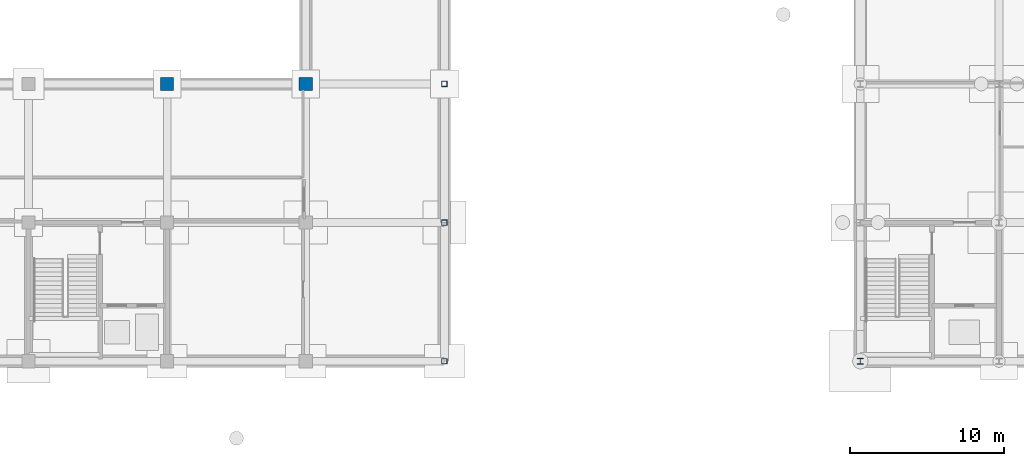
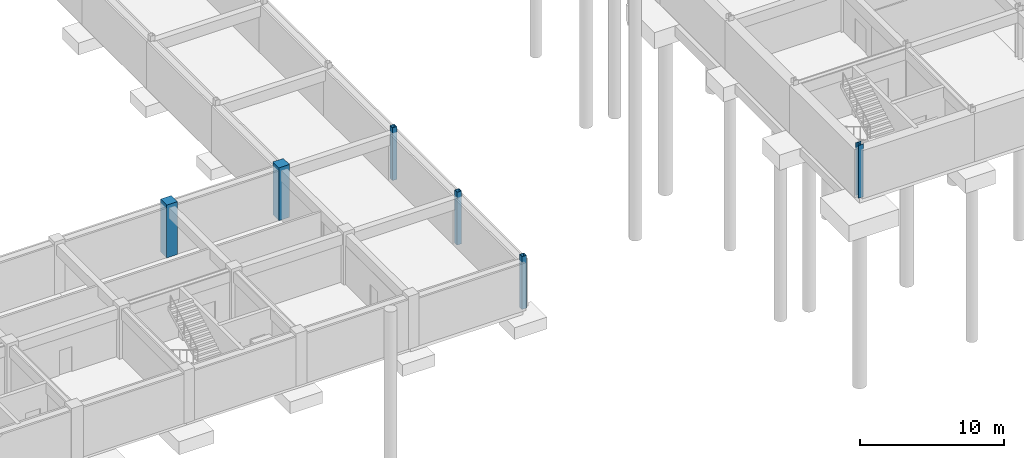
# One storey, part 5 of 41: 6 columns.
"""IFC4 building model written with IfcOpenShell, lengths in metres."""

from ifc_helpers import new_model, si_unit, direction, frame, origin, origin_2d, place, context, subcontext, project, spatial, rectangle, hollow_rectangle, i_section, extrude, material, material_profile, profile_set, type_object, element, save


model = new_model("IFC4")

# Units and contexts
model_context = context("Model", 3, precision=1e-05, world=origin(), true_north=direction((0.0, 1.0)))
body_context = subcontext(model_context, "Body", "Model", "MODEL_VIEW")
ifc_project = project(units=[si_unit("LENGTHUNIT", "METRE"), si_unit("AREAUNIT", "SQUARE_METRE"), si_unit("VOLUMEUNIT", "CUBIC_METRE"), si_unit("PLANEANGLEUNIT", "RADIAN"), si_unit("MASSUNIT", "GRAM", prefix="KILO")], contexts=[model_context])

# Site, building, storey
site_placement = place(None, origin())
site = spatial("IfcSite", under=ifc_project, at=site_placement, CompositionType="ELEMENT")
building_placement = place(site_placement, origin())
building = spatial("IfcBuilding", under=site, at=building_placement, Name="Palais des Congres Ocreval", CompositionType="ELEMENT")
storey_placement = place(building_placement, frame((0.0, 0.0, -8.9599609375)))
storey = spatial("IfcBuildingStorey", under=building, at=storey_placement, Name="B2", CompositionType="ELEMENT", Elevation=-8.9599609375)

# Columns
ifc_material_1 = material(Name="Steel S355", Category="steel")
ifc_material_profile_1 = material_profile(ifc_material_1, i_section(OverallWidth=0.40087890625, OverallDepth=0.39892578125, WebThickness=0.0185546875, FlangeThickness=0.030029296875, at=origin_2d()), Name="HD 400x314")
ifc_profile_set_1 = profile_set([ifc_material_profile_1], Name="Steel S355")
column_type_1 = type_object("IfcColumnType", Name="Column HD 400x314 Steel S355", PredefinedType="COLUMN", material=ifc_profile_set_1)
column_placement = place(storey_placement, frame((108.0, 0.0, 0.0), z_axis=(0.0, 0.0, 1.0), x_axis=(1.0, 0.0, 0.0)))
element("IfcColumn", 1, at=column_placement, inside=storey, type_object=column_type_1, Name="Column C04 B2", PredefinedType="COLUMN", context=body_context, shape_type="SweptSolid", body=[
    extrude(i_section(OverallWidth=0.40087890625, OverallDepth=0.39892578125, WebThickness=0.0185546875, FlangeThickness=0.030029296875, at=origin_2d()), origin(), (0.0, 0.0, 1.0), 4.47998046875),
])
ifc_material_2 = material(Name="Concrete C40/50", Category="concrete")
ifc_material_profile_2 = material_profile(ifc_material_2, rectangle(XDim=0.85009765625, YDim=0.85009765625, at=origin_2d()), Name="RC 850x850")
ifc_profile_set_2 = profile_set([ifc_material_profile_2], Name="Concrete C40/50")
column_type_2 = type_object("IfcColumnType", Name="Column RC 850x850 Concrete C40/50", PredefinedType="COLUMN", material=ifc_profile_set_2)
for number, where, z_axis, x_axis, name in (
    (2, (63.0, 18.0, 0.0), (0.0, 0.0, 1.0), (1.0, 0.0, 0.0), "Column C21 B2"),
    (3, (72.0, 18.0, 0.0), (0.0, 0.0, 1.0), (1.0, 0.0, 0.0), "Column C21 B2"),
):
    element("IfcColumn", number, at=place(storey_placement, frame(where, z_axis=z_axis, x_axis=x_axis)), inside=storey, type_object=column_type_2, Name=name, PredefinedType="COLUMN", context=body_context, shape_type="SweptSolid", body=[
        extrude(rectangle(XDim=0.85009765625, YDim=0.85009765625, at=origin_2d()), origin(), (0.0, 0.0, 1.0), 4.47998046875),
    ])
ifc_material_profile_3 = material_profile(ifc_material_1, hollow_rectangle(XDim=0.35009765625, YDim=0.35009765625, WallThickness=0.01611328125, at=origin_2d()), Name="RHS 350x350x16")
ifc_profile_set_3 = profile_set([ifc_material_profile_3], Name="Steel S355")
column_type_3 = type_object("IfcColumnType", Name="Column RHS 350x350x16 Steel S355", PredefinedType="COLUMN", material=ifc_profile_set_3)
for number, where, z_axis, x_axis, name in (
    (4, (81.0, 0.0, 0.0), (0.0, 0.0, 1.0), (1.0, 0.0, 0.0), "Column C18 B2"),
    (5, (81.0, 9.0, 0.0), (0.0, 0.0, 1.0), (1.0, 0.0, 0.0), "Column C18 B2"),
    (6, (81.0, 18.0, 0.0), (0.0, 0.0, 1.0), (1.0, 0.0, 0.0), "Column C18 B2"),
):
    element("IfcColumn", number, at=place(storey_placement, frame(where, z_axis=z_axis, x_axis=x_axis)), inside=storey, type_object=column_type_3, Name=name, PredefinedType="COLUMN", context=body_context, shape_type="SweptSolid", body=[
        extrude(hollow_rectangle(XDim=0.35009765625, YDim=0.35009765625, WallThickness=0.01611328125, at=origin_2d()), origin(), (0.0, 0.0, 1.0), 4.47998046875),
    ])

save(model, "model.ifc")
